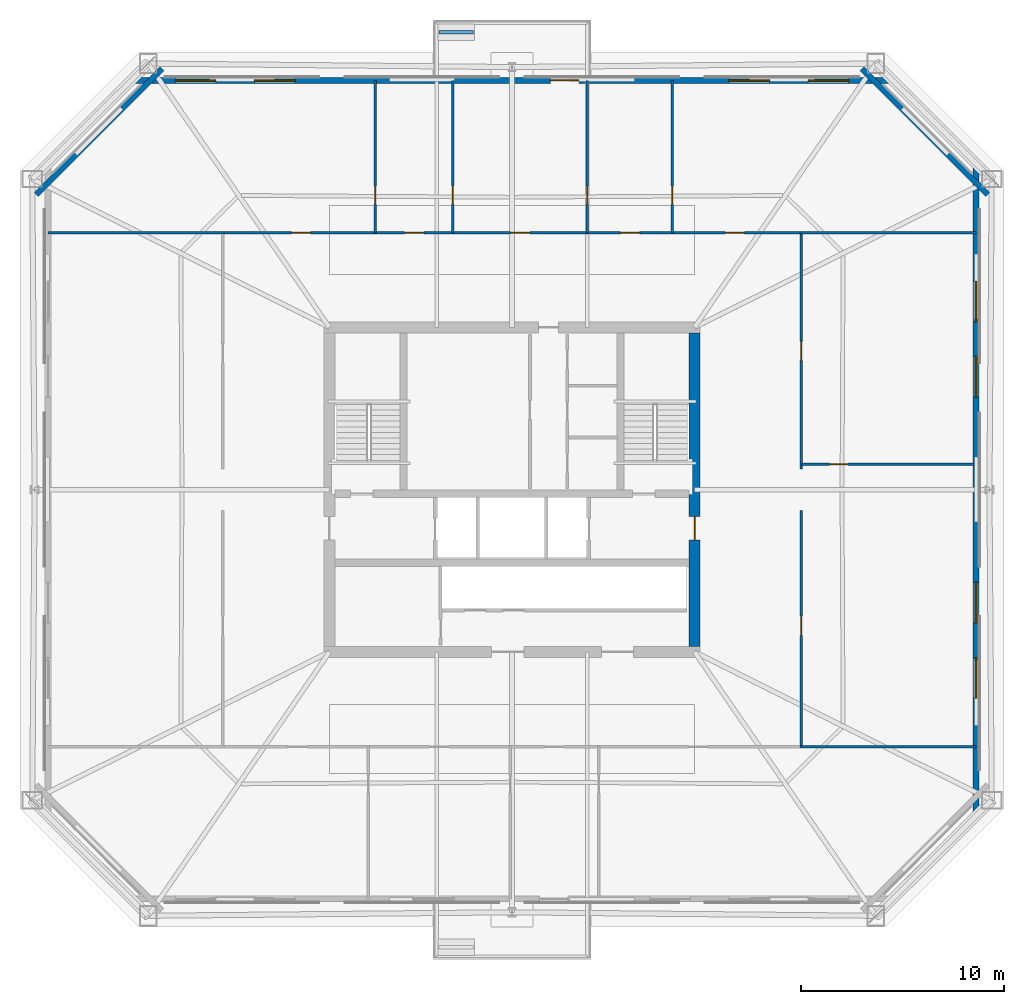
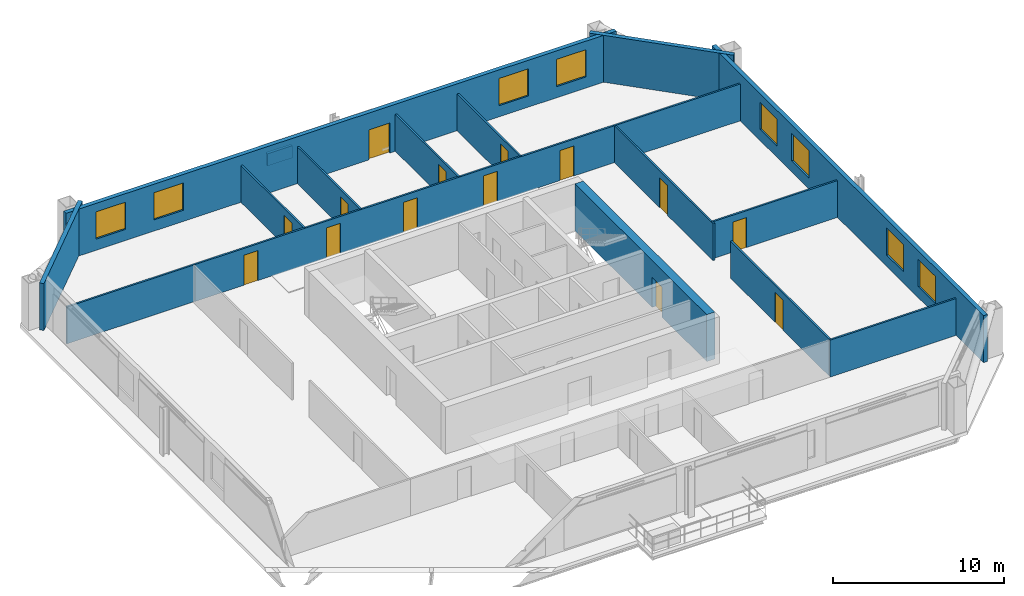
# One storey, part 4 of 7: 17 walls, 14 doors, 8 windows, 22 openings.
"""IFC4 building model written with IfcOpenShell, lengths in metres."""

from ifc_helpers import new_model, si_unit, direction, frame, frame_2d, origin, place, context, subcontext, project, spatial, rectangle, extrude, material, layer, layer_set, type_object, element, fill, save


model = new_model("IFC4")

# Units and contexts
model_context = context("Model", 3, precision=1e-05, world=origin(), true_north=direction((0.0, 1.0)))
body_context = subcontext(model_context, "Body", "Model", "MODEL_VIEW")
ifc_project = project(units=[si_unit("LENGTHUNIT", "METRE"), si_unit("AREAUNIT", "SQUARE_METRE"), si_unit("VOLUMEUNIT", "CUBIC_METRE"), si_unit("PLANEANGLEUNIT", "RADIAN"), si_unit("MASSUNIT", "GRAM", prefix="KILO")], contexts=[model_context])

# Site, building, storey
site_placement = place(None, origin())
site = spatial("IfcSite", under=ifc_project, at=site_placement, CompositionType="ELEMENT")
building_placement = place(site_placement, origin())
building = spatial("IfcBuilding", under=site, at=building_placement, Name="Caelvoria Tower", CompositionType="ELEMENT")
storey_placement = place(building_placement, frame((0.0, 0.0, 109.60009765625)))
storey = spatial("IfcBuildingStorey", under=building, at=storey_placement, Name="L28", CompositionType="ELEMENT", Elevation=109.60009765625)

# Wall
ifc_material_1 = material(Name="Bronze-Clad Concrete C40/50", Category="concrete")
ifc_layer_1 = layer(ifc_material_1, 0.179931640625, Name="Bronze-Clad Concrete C40/50")
ifc_layer_set_1 = layer_set([ifc_layer_1], Name="Architectural Planter Kerb Wall 180 - Bronze-Clad Concrete C40/50")
wall_type_1 = type_object("IfcWallType", Name="Architectural Planter Kerb Wall 180", PredefinedType="PARAPET", material=ifc_layer_set_1)
wall_1_placement = place(storey_placement, frame((42.39990234375, 54.550048828125, 0.0), z_axis=(0.0, 0.0, 1.0), x_axis=(1.0, 0.0, 0.0)))
element("IfcWall", 1, at=wall_1_placement, inside=storey, type_object=wall_type_1, Name="Tree Balcony Planter Kerb PLANTER TB-L28-N", PredefinedType="PARAPET", context=body_context, shape_type="SweptSolid", body=[
    extrude(rectangle(XDim=1.7001953125, YDim=0.179931640625, at=frame_2d((0.85009765625, 0.0))), origin(), (0.0, 0.0, 1.0), 0.8798828125),
])

# Wall, openings, windows
ifc_material_2 = material(Name="Precast Concrete C40/50 with Bronze Cladding", Category="concrete")
ifc_layer_2 = layer(ifc_material_2, 0.280029296875, Name="Precast Concrete C40/50 with Bronze Cladding")
ifc_layer_set_2 = layer_set([ifc_layer_2], Name="Exterior Precast Concrete C40/50 Bronze-Clad Facade Wall 280 - Precast Concrete C40/50 with Bronze Cladding")
wall_type_2 = type_object("IfcWallType", Name="Exterior Precast Concrete C40/50 Bronze-Clad Facade Wall 280", PredefinedType="STANDARD", material=ifc_layer_set_2)
wall_2_placement = place(storey_placement, frame((68.8701171875, 16.06005859375, 0.0), z_axis=(0.0, 0.0, 1.0), x_axis=(0.0, 1.0, 0.0)))
wall_2 = element("IfcWall", 2, at=wall_2_placement, inside=storey, type_object=wall_type_2, Name="Exterior Facade Wall L28-E2", PredefinedType="STANDARD", context=body_context, shape_type="SweptSolid", body=[
    extrude(rectangle(XDim=31.8798828125, YDim=0.280029296875, at=frame_2d((15.93994140625, 0.0))), origin(), (0.0, 0.0, 1.0), 3.35986328125),
])
opening_1_placement = place(wall_2_placement, frame((5.6650390625, 0.0, 0.800048828125)))
opening_1 = element("IfcOpeningElement", 3, at=opening_1_placement, cuts=wall_2, Name="Opening WN-01", PredefinedType="OPENING", context=body_context, shape_type="SweptSolid", body=[
    extrude(rectangle(XDim=2.0, YDim=1.949951171875, at=frame_2d((1.0, 0.97509765625))), frame((0.0, 0.14990234375, 0.0), z_axis=(0.0, -1.0, 0.0), x_axis=(1.0, 0.0, 0.0)), (0.0, 0.0, 1.0), 0.300048828125),
])
opening_2_placement = place(wall_2_placement, frame((9.375, 0.0, 0.800048828125)))
opening_2 = element("IfcOpeningElement", 4, at=opening_2_placement, cuts=wall_2, Name="Opening WN-01", PredefinedType="OPENING", context=body_context, shape_type="SweptSolid", body=[
    extrude(rectangle(XDim=2.0, YDim=1.949951171875, at=frame_2d((1.0, 0.97509765625))), frame((0.0, 0.14990234375, 0.0), z_axis=(0.0, -1.0, 0.0), x_axis=(1.0, 0.0, 0.0)), (0.0, 0.0, 1.0), 0.300048828125),
])
opening_3_placement = place(wall_2_placement, frame((20.5048828125, 0.0, 0.800048828125)))
opening_3 = element("IfcOpeningElement", 5, at=opening_3_placement, cuts=wall_2, Name="Opening WN-01", PredefinedType="OPENING", context=body_context, shape_type="SweptSolid", body=[
    extrude(rectangle(XDim=2.0, YDim=1.949951171875, at=frame_2d((1.0, 0.97509765625))), frame((0.0, 0.14990234375, 0.0), z_axis=(0.0, -1.0, 0.0), x_axis=(1.0, 0.0, 0.0)), (0.0, 0.0, 1.0), 0.300048828125),
])
opening_4_placement = place(wall_2_placement, frame((24.215087890625, 0.0, 0.800048828125)))
opening_4 = element("IfcOpeningElement", 6, at=opening_4_placement, cuts=wall_2, Name="Opening WN-01", PredefinedType="OPENING", context=body_context, shape_type="SweptSolid", body=[
    extrude(rectangle(XDim=2.0, YDim=1.949951171875, at=frame_2d((1.0, 0.97509765625))), frame((0.0, 0.14990234375, 0.0), z_axis=(0.0, -1.0, 0.0), x_axis=(1.0, 0.0, 0.0)), (0.0, 0.0, 1.0), 0.300048828125),
])
ifc_material_3 = material(Name="Low-E Tinted Glass in Bronze Aluminium Frame", Category="aluminium")
window_type = type_object("IfcWindowType", Name="Tower Office Vision Window 2000x1950", PartitioningType="SINGLE_PANEL", PredefinedType="WINDOW", material=ifc_material_3)
window_1_placement = place(opening_1_placement, origin())
window_1 = element("IfcWindow", 7, at=window_1_placement, inside=storey, type_object=window_type, Name="Facade Window L28-E2-01", OverallHeight=1.949951171875, OverallWidth=2.0, PartitioningType="SINGLE_PANEL", PredefinedType="WINDOW", context=body_context, shape_type="SweptSolid", body=[
    extrude(rectangle(XDim=2.0, YDim=1.949951171875, at=frame_2d((1.0, 0.97509765625))), frame((0.0, 0.030029296875, 0.0), z_axis=(0.0, -1.0, 0.0), x_axis=(1.0, 0.0, 0.0)), (0.0, 0.0, 1.0), 0.06005859375),
])
fill(opening_1, window_1)
window_2_placement = place(opening_2_placement, origin())
window_2 = element("IfcWindow", 8, at=window_2_placement, inside=storey, type_object=window_type, Name="Facade Window L28-E2-02", OverallHeight=1.949951171875, OverallWidth=2.0, PartitioningType="SINGLE_PANEL", PredefinedType="WINDOW", context=body_context, shape_type="SweptSolid", body=[
    extrude(rectangle(XDim=2.0, YDim=1.949951171875, at=frame_2d((1.0, 0.97509765625))), frame((0.0, 0.030029296875, 0.0), z_axis=(0.0, -1.0, 0.0), x_axis=(1.0, 0.0, 0.0)), (0.0, 0.0, 1.0), 0.06005859375),
])
fill(opening_2, window_2)
window_3_placement = place(opening_3_placement, origin())
window_3 = element("IfcWindow", 9, at=window_3_placement, inside=storey, type_object=window_type, Name="Facade Window L28-E2-05", OverallHeight=1.949951171875, OverallWidth=2.0, PartitioningType="SINGLE_PANEL", PredefinedType="WINDOW", context=body_context, shape_type="SweptSolid", body=[
    extrude(rectangle(XDim=2.0, YDim=1.949951171875, at=frame_2d((1.0, 0.97509765625))), frame((0.0, 0.030029296875, 0.0), z_axis=(0.0, -1.0, 0.0), x_axis=(1.0, 0.0, 0.0)), (0.0, 0.0, 1.0), 0.06005859375),
])
fill(opening_3, window_3)
window_4_placement = place(opening_4_placement, origin())
window_4 = element("IfcWindow", 10, at=window_4_placement, inside=storey, type_object=window_type, Name="Facade Window L28-E2-06", OverallHeight=1.949951171875, OverallWidth=2.0, PartitioningType="SINGLE_PANEL", PredefinedType="WINDOW", context=body_context, shape_type="SweptSolid", body=[
    extrude(rectangle(XDim=2.0, YDim=1.949951171875, at=frame_2d((1.0, 0.97509765625))), frame((0.0, 0.030029296875, 0.0), z_axis=(0.0, -1.0, 0.0), x_axis=(1.0, 0.0, 0.0)), (0.0, 0.0, 1.0), 0.06005859375),
])
fill(opening_4, window_4)

# Wall
wall_3_placement = place(storey_placement, frame((69.44384765625, 46.554443359375, 0.0), z_axis=(0.0, 0.0, 1.0), x_axis=(-0.707106781187, 0.707106781187, 0.0)))
element("IfcWall", 11, at=wall_3_placement, inside=storey, type_object=wall_type_2, Name="Exterior Facade Wall L28-E3", PredefinedType="STANDARD", context=body_context, shape_type="SweptSolid", body=[
    extrude(rectangle(XDim=8.753173828125, YDim=0.280029296875, at=frame_2d((4.37646484375, 0.0))), origin(), (0.0, 0.0, 1.0), 3.35986328125),
])

# Wall, openings, windows, door
wall_4_placement = place(storey_placement, frame((64.639892578125, 52.169921875, 0.0), z_axis=(0.0, 0.0, 1.0), x_axis=(-1.0, 0.0, 0.0)))
wall_4 = element("IfcWall", 12, at=wall_4_placement, inside=storey, type_object=wall_type_2, Name="Exterior Facade Wall L28-E4", PredefinedType="STANDARD", context=body_context, shape_type="SweptSolid", body=[
    extrude(rectangle(XDim=37.27978515625, YDim=0.280029296875, at=frame_2d((18.639892578125, 0.0))), origin(), (0.0, 0.0, 1.0), 3.35986328125),
])
opening_5_placement = place(wall_4_placement, frame((15.347412109375, 0.0, 0.0)))
opening_5 = element("IfcOpeningElement", 13, at=opening_5_placement, cuts=wall_4, Name="Opening ED-04", PredefinedType="OPENING", context=body_context, shape_type="SweptSolid", body=[
    extrude(rectangle(XDim=1.39990234375, YDim=2.14990234375, at=frame_2d((0.699951171875, 1.074951171875))), frame((0.0, 0.14990234375, 0.0), z_axis=(0.0, -1.0, 0.0), x_axis=(1.0, 0.0, 0.0)), (0.0, 0.0, 1.0), 0.300048828125),
])
opening_6_placement = place(wall_4_placement, frame((2.048828125, 0.0, 0.800048828125)))
opening_6 = element("IfcOpeningElement", 14, at=opening_6_placement, cuts=wall_4, Name="Opening WN-01", PredefinedType="OPENING", context=body_context, shape_type="SweptSolid", body=[
    extrude(rectangle(XDim=2.0, YDim=1.949951171875, at=frame_2d((1.0, 0.97509765625))), frame((0.0, 0.14990234375, 0.0), z_axis=(0.0, -1.0, 0.0), x_axis=(1.0, 0.0, 0.0)), (0.0, 0.0, 1.0), 0.300048828125),
])
opening_7_placement = place(wall_4_placement, frame((5.94677734375, 0.0, 0.800048828125)))
opening_7 = element("IfcOpeningElement", 15, at=opening_7_placement, cuts=wall_4, Name="Opening WN-01", PredefinedType="OPENING", context=body_context, shape_type="SweptSolid", body=[
    extrude(rectangle(XDim=2.0, YDim=1.949951171875, at=frame_2d((1.0, 0.97509765625))), frame((0.0, 0.14990234375, 0.0), z_axis=(0.0, -1.0, 0.0), x_axis=(1.0, 0.0, 0.0)), (0.0, 0.0, 1.0), 0.300048828125),
])
opening_8_placement = place(wall_4_placement, frame((29.333251953125, 0.0, 0.800048828125)))
opening_8 = element("IfcOpeningElement", 16, at=opening_8_placement, cuts=wall_4, Name="Opening WN-01", PredefinedType="OPENING", context=body_context, shape_type="SweptSolid", body=[
    extrude(rectangle(XDim=2.0, YDim=1.949951171875, at=frame_2d((1.0, 0.97509765625))), frame((0.0, 0.14990234375, 0.0), z_axis=(0.0, -1.0, 0.0), x_axis=(1.0, 0.0, 0.0)), (0.0, 0.0, 1.0), 0.300048828125),
])
opening_9_placement = place(wall_4_placement, frame((33.231201171875, 0.0, 0.800048828125)))
opening_9 = element("IfcOpeningElement", 17, at=opening_9_placement, cuts=wall_4, Name="Opening WN-01", PredefinedType="OPENING", context=body_context, shape_type="SweptSolid", body=[
    extrude(rectangle(XDim=2.0, YDim=1.949951171875, at=frame_2d((1.0, 0.97509765625))), frame((0.0, 0.14990234375, 0.0), z_axis=(0.0, -1.0, 0.0), x_axis=(1.0, 0.0, 0.0)), (0.0, 0.0, 1.0), 0.300048828125),
])
window_5_placement = place(opening_6_placement, origin())
window_5 = element("IfcWindow", 18, at=window_5_placement, inside=storey, type_object=window_type, Name="Facade Window L28-E4-00", OverallHeight=1.949951171875, OverallWidth=2.0, PartitioningType="SINGLE_PANEL", PredefinedType="WINDOW", context=body_context, shape_type="SweptSolid", body=[
    extrude(rectangle(XDim=2.0, YDim=1.949951171875, at=frame_2d((1.0, 0.97509765625))), frame((0.0, 0.030029296875, 0.0), z_axis=(0.0, -1.0, 0.0), x_axis=(1.0, 0.0, 0.0)), (0.0, 0.0, 1.0), 0.06005859375),
])
fill(opening_6, window_5)
window_6_placement = place(opening_7_placement, origin())
window_6 = element("IfcWindow", 19, at=window_6_placement, inside=storey, type_object=window_type, Name="Facade Window L28-E4-01", OverallHeight=1.949951171875, OverallWidth=2.0, PartitioningType="SINGLE_PANEL", PredefinedType="WINDOW", context=body_context, shape_type="SweptSolid", body=[
    extrude(rectangle(XDim=2.0, YDim=1.949951171875, at=frame_2d((1.0, 0.97509765625))), frame((0.0, 0.030029296875, 0.0), z_axis=(0.0, -1.0, 0.0), x_axis=(1.0, 0.0, 0.0)), (0.0, 0.0, 1.0), 0.06005859375),
])
fill(opening_7, window_6)
window_7_placement = place(opening_8_placement, origin())
window_7 = element("IfcWindow", 20, at=window_7_placement, inside=storey, type_object=window_type, Name="Facade Window L28-E4-07", OverallHeight=1.949951171875, OverallWidth=2.0, PartitioningType="SINGLE_PANEL", PredefinedType="WINDOW", context=body_context, shape_type="SweptSolid", body=[
    extrude(rectangle(XDim=2.0, YDim=1.949951171875, at=frame_2d((1.0, 0.97509765625))), frame((0.0, 0.030029296875, 0.0), z_axis=(0.0, -1.0, 0.0), x_axis=(1.0, 0.0, 0.0)), (0.0, 0.0, 1.0), 0.06005859375),
])
fill(opening_8, window_7)
window_8_placement = place(opening_9_placement, origin())
window_8 = element("IfcWindow", 21, at=window_8_placement, inside=storey, type_object=window_type, Name="Facade Window L28-E4-08", OverallHeight=1.949951171875, OverallWidth=2.0, PartitioningType="SINGLE_PANEL", PredefinedType="WINDOW", context=body_context, shape_type="SweptSolid", body=[
    extrude(rectangle(XDim=2.0, YDim=1.949951171875, at=frame_2d((1.0, 0.97509765625))), frame((0.0, 0.030029296875, 0.0), z_axis=(0.0, -1.0, 0.0), x_axis=(1.0, 0.0, 0.0)), (0.0, 0.0, 1.0), 0.06005859375),
])
fill(opening_9, window_8)
ifc_material_4 = material(Name="Anodised Bronze Aluminium and Laminated Glass", Category="aluminium")
door_type_1 = type_object("IfcDoorType", Name="Tree Balcony Glazed Door 1400x2150", OperationType="NOTDEFINED", PredefinedType="DOOR", material=ifc_material_4)
door_1_placement = place(opening_5_placement, origin())
door_1 = element("IfcDoor", 22, at=door_1_placement, inside=storey, type_object=door_type_1, Name="Tree Balcony Door L28-N", OperationType="SINGLE_SWING_LEFT", OverallHeight=2.14990234375, OverallWidth=1.39990234375, PredefinedType="DOOR", context=body_context, shape_type="SweptSolid", body=[
    extrude(rectangle(XDim=1.39990234375, YDim=2.14990234375, at=frame_2d((0.699951171875, 1.074951171875))), frame((0.0, 0.02490234375, 0.0), z_axis=(0.0, -1.0, 0.0), x_axis=(1.0, 0.0, 0.0)), (0.0, 0.0, 1.0), 0.050048828125),
])
fill(opening_5, door_1)

# Wall
wall_5_placement = place(storey_placement, frame((28.74560546875, 52.743896484375, 0.0), z_axis=(0.0, 0.0, 1.0), x_axis=(-0.707106781187, -0.707106781187, 0.0)))
element("IfcWall", 23, at=wall_5_placement, inside=storey, type_object=wall_type_2, Name="Exterior Facade Wall L28-E5", PredefinedType="STANDARD", context=body_context, shape_type="SweptSolid", body=[
    extrude(rectangle(XDim=8.753173828125, YDim=0.280029296875, at=frame_2d((4.37646484375, 0.0))), origin(), (0.0, 0.0, 1.0), 3.35986328125),
])

# Wall, opening, door
ifc_material_5 = material(Name="Concrete C55/67", Category="concrete")
ifc_layer_3 = layer(ifc_material_5, 0.550048828125, Name="Concrete C55/67")
ifc_layer_set_3 = layer_set([ifc_layer_3], Name="Mid Core Shear Wall 550 - Concrete C55/67")
wall_type_3 = type_object("IfcWallType", Name="Mid Core Shear Wall 550", PredefinedType="SHEAR", material=ifc_layer_set_3)
wall_6_placement = place(storey_placement, frame((55.0, 24.27490234375, 0.0), z_axis=(0.0, 0.0, 1.0), x_axis=(0.0, 1.0, 0.0)))
wall_6 = element("IfcWall", 24, at=wall_6_placement, inside=storey, type_object=wall_type_3, Name="Core Shear Wall L28 E", PredefinedType="SHEAR", context=body_context, shape_type="SweptSolid", body=[
    extrude(rectangle(XDim=15.4501953125, YDim=0.550048828125, at=frame_2d((7.72509765625, 0.0))), origin(), (0.0, 0.0, 1.0), 3.35986328125),
])
opening_10_placement = place(wall_6_placement, frame((5.25, 0.0, 0.0)))
opening_10 = element("IfcOpeningElement", 25, at=opening_10_placement, cuts=wall_6, Name="Opening ID-02", PredefinedType="OPENING", context=body_context, shape_type="SweptSolid", body=[
    extrude(rectangle(XDim=1.14990234375, YDim=2.14990234375, at=frame_2d((0.574951171875, 1.074951171875))), frame((0.0, 0.284912109375, 0.0), z_axis=(0.0, -1.0, 0.0), x_axis=(1.0, 0.0, 0.0)), (0.0, 0.0, 1.0), 0.570068359375),
])
ifc_material_6 = material(Name="Painted Hollow Steel Fire Door", Category="steel")
door_type_2 = type_object("IfcDoorType", Name="Fire Door FD60S 1150x2150", OperationType="NOTDEFINED", PredefinedType="DOOR", material=ifc_material_6)
door_2_placement = place(opening_10_placement, origin())
door_2 = element("IfcDoor", 26, at=door_2_placement, inside=storey, type_object=door_type_2, Name="Core Door DR-L28-FFLE-OUT", OperationType="SINGLE_SWING_RIGHT", OverallHeight=2.14990234375, OverallWidth=1.14990234375, PredefinedType="DOOR", context=body_context, shape_type="SweptSolid", body=[
    extrude(rectangle(XDim=1.14990234375, YDim=2.14990234375, at=frame_2d((0.574951171875, 1.074951171875))), frame((0.0, 0.02490234375, 0.0), z_axis=(0.0, -1.0, 0.0), x_axis=(1.0, 0.0, 0.0)), (0.0, 0.0, 1.0), 0.050048828125),
])
fill(opening_10, door_2)

ifc_material_7 = material(Name="Acoustic Gypsum Board on Light-Gauge Stud", Category="gypsum")
ifc_layer_4 = layer(ifc_material_7, 0.1201171875, Name="Acoustic Gypsum Board on Light-Gauge Stud")
ifc_layer_set_4 = layer_set([ifc_layer_4], Name="Tenant Suite Acoustic Partition Wall 120 - Acoustic Gypsum Board on Light-Gauge Stud")
wall_type_4 = type_object("IfcWallType", Name="Tenant Suite Acoustic Partition Wall 120", PredefinedType="PARTITIONING", material=ifc_layer_set_4)
wall_7_placement = place(storey_placement, frame((39.265625, 44.659912109375, 0.0), z_axis=(0.0, 0.0, 1.0), x_axis=(0.0, 1.0, 0.0)))
wall_7 = element("IfcWall", 27, at=wall_7_placement, inside=storey, type_object=wall_type_4, Name="Interior Partition IW-L28-ND-00-0", PredefinedType="PARTITIONING", context=body_context, shape_type="SweptSolid", body=[
    extrude(rectangle(XDim=7.510009765625, YDim=0.1201171875, at=frame_2d((3.7548828125, 0.0))), origin(), (0.0, 0.0, 1.0), 2.639892578125),
])
opening_11_placement = place(wall_7_placement, frame((1.39990234375, 0.0, 0.0)))
opening_11 = element("IfcOpeningElement", 28, at=opening_11_placement, cuts=wall_7, Name="Opening ID-06", PredefinedType="OPENING", context=body_context, shape_type="SweptSolid", body=[
    extrude(rectangle(XDim=0.89990234375, YDim=2.14990234375, at=frame_2d((0.449951171875, 1.074951171875))), frame((0.0, 0.070068359375, 0.0), z_axis=(0.0, -1.0, 0.0), x_axis=(1.0, 0.0, 0.0)), (0.0, 0.0, 1.0), 0.14013671875),
])
ifc_material_8 = material(Name="Engineered Andean Oak Veneer Door", Category="wood")
door_type_3 = type_object("IfcDoorType", Name="Interior Timber Door 900x2150", OperationType="NOTDEFINED", PredefinedType="DOOR", material=ifc_material_8)
door_3_placement = place(opening_11_placement, origin())
door_3 = element("IfcDoor", 29, at=door_3_placement, inside=storey, type_object=door_type_3, Name="Interior Door DR-L28-NM-00-0", OperationType="SINGLE_SWING_RIGHT", OverallHeight=2.14990234375, OverallWidth=0.89990234375, PredefinedType="DOOR", context=body_context, shape_type="SweptSolid", body=[
    extrude(rectangle(XDim=0.89990234375, YDim=2.14990234375, at=frame_2d((0.449951171875, 1.074951171875))), frame((0.0, 0.02490234375, 0.0), z_axis=(0.0, -1.0, 0.0), x_axis=(1.0, 0.0, 0.0)), (0.0, 0.0, 1.0), 0.050048828125),
])
fill(opening_11, door_3)

wall_8_placement = place(storey_placement, frame((43.087158203125, 44.659912109375, 0.0), z_axis=(0.0, 0.0, 1.0), x_axis=(0.0, 1.0, 0.0)))
wall_8 = element("IfcWall", 30, at=wall_8_placement, inside=storey, type_object=wall_type_4, Name="Interior Partition IW-L28-ND-01-0", PredefinedType="PARTITIONING", context=body_context, shape_type="SweptSolid", body=[
    extrude(rectangle(XDim=7.510009765625, YDim=0.1201171875, at=frame_2d((3.7548828125, 0.0))), origin(), (0.0, 0.0, 1.0), 2.639892578125),
])
opening_12_placement = place(wall_8_placement, frame((1.39990234375, 0.0, 0.0)))
opening_12 = element("IfcOpeningElement", 31, at=opening_12_placement, cuts=wall_8, Name="Opening ID-06", PredefinedType="OPENING", context=body_context, shape_type="SweptSolid", body=[
    extrude(rectangle(XDim=0.89990234375, YDim=2.14990234375, at=frame_2d((0.449951171875, 1.074951171875))), frame((0.0, 0.070068359375, 0.0), z_axis=(0.0, -1.0, 0.0), x_axis=(1.0, 0.0, 0.0)), (0.0, 0.0, 1.0), 0.14013671875),
])
door_4_placement = place(opening_12_placement, origin())
door_4 = element("IfcDoor", 32, at=door_4_placement, inside=storey, type_object=door_type_3, Name="Interior Door DR-L28-NM-01-0", OperationType="SINGLE_SWING_LEFT", OverallHeight=2.14990234375, OverallWidth=0.89990234375, PredefinedType="DOOR", context=body_context, shape_type="SweptSolid", body=[
    extrude(rectangle(XDim=0.89990234375, YDim=2.14990234375, at=frame_2d((0.449951171875, 1.074951171875))), frame((0.0, 0.02490234375, 0.0), z_axis=(0.0, -1.0, 0.0), x_axis=(1.0, 0.0, 0.0)), (0.0, 0.0, 1.0), 0.050048828125),
])
fill(opening_12, door_4)

wall_9_placement = place(storey_placement, frame((49.716796875, 44.659912109375, 0.0), z_axis=(0.0, 0.0, 1.0), x_axis=(0.0, 1.0, 0.0)))
wall_9 = element("IfcWall", 33, at=wall_9_placement, inside=storey, type_object=wall_type_4, Name="Interior Partition IW-L28-ND-02-0", PredefinedType="PARTITIONING", context=body_context, shape_type="SweptSolid", body=[
    extrude(rectangle(XDim=7.510009765625, YDim=0.1201171875, at=frame_2d((3.7548828125, 0.0))), origin(), (0.0, 0.0, 1.0), 2.639892578125),
])
opening_13_placement = place(wall_9_placement, frame((1.39990234375, 0.0, 0.0)))
opening_13 = element("IfcOpeningElement", 34, at=opening_13_placement, cuts=wall_9, Name="Opening ID-06", PredefinedType="OPENING", context=body_context, shape_type="SweptSolid", body=[
    extrude(rectangle(XDim=0.89990234375, YDim=2.14990234375, at=frame_2d((0.449951171875, 1.074951171875))), frame((0.0, 0.070068359375, 0.0), z_axis=(0.0, -1.0, 0.0), x_axis=(1.0, 0.0, 0.0)), (0.0, 0.0, 1.0), 0.14013671875),
])
door_5_placement = place(opening_13_placement, origin())
door_5 = element("IfcDoor", 35, at=door_5_placement, inside=storey, type_object=door_type_3, Name="Interior Door DR-L28-NM-02-0", OperationType="SINGLE_SWING_RIGHT", OverallHeight=2.14990234375, OverallWidth=0.89990234375, PredefinedType="DOOR", context=body_context, shape_type="SweptSolid", body=[
    extrude(rectangle(XDim=0.89990234375, YDim=2.14990234375, at=frame_2d((0.449951171875, 1.074951171875))), frame((0.0, 0.02490234375, 0.0), z_axis=(0.0, -1.0, 0.0), x_axis=(1.0, 0.0, 0.0)), (0.0, 0.0, 1.0), 0.050048828125),
])
fill(opening_13, door_5)

wall_10_placement = place(storey_placement, frame((53.906494140625, 44.659912109375, 0.0), z_axis=(0.0, 0.0, 1.0), x_axis=(0.0, 1.0, 0.0)))
wall_10 = element("IfcWall", 36, at=wall_10_placement, inside=storey, type_object=wall_type_4, Name="Interior Partition IW-L28-ND-03-0", PredefinedType="PARTITIONING", context=body_context, shape_type="SweptSolid", body=[
    extrude(rectangle(XDim=7.510009765625, YDim=0.1201171875, at=frame_2d((3.7548828125, 0.0))), origin(), (0.0, 0.0, 1.0), 2.639892578125),
])
opening_14_placement = place(wall_10_placement, frame((1.39990234375, 0.0, 0.0)))
opening_14 = element("IfcOpeningElement", 37, at=opening_14_placement, cuts=wall_10, Name="Opening ID-06", PredefinedType="OPENING", context=body_context, shape_type="SweptSolid", body=[
    extrude(rectangle(XDim=0.89990234375, YDim=2.14990234375, at=frame_2d((0.449951171875, 1.074951171875))), frame((0.0, 0.070068359375, 0.0), z_axis=(0.0, -1.0, 0.0), x_axis=(1.0, 0.0, 0.0)), (0.0, 0.0, 1.0), 0.14013671875),
])
door_6_placement = place(opening_14_placement, origin())
door_6 = element("IfcDoor", 38, at=door_6_placement, inside=storey, type_object=door_type_3, Name="Interior Door DR-L28-NM-03-0", OperationType="SINGLE_SWING_LEFT", OverallHeight=2.14990234375, OverallWidth=0.89990234375, PredefinedType="DOOR", context=body_context, shape_type="SweptSolid", body=[
    extrude(rectangle(XDim=0.89990234375, YDim=2.14990234375, at=frame_2d((0.449951171875, 1.074951171875))), frame((0.0, 0.02490234375, 0.0), z_axis=(0.0, -1.0, 0.0), x_axis=(1.0, 0.0, 0.0)), (0.0, 0.0, 1.0), 0.050048828125),
])
fill(opening_14, door_6)

# Wall, openings, doors
wall_11_placement = place(storey_placement, frame((31.800048828125, 44.659912109375, 0.0), z_axis=(0.0, 0.0, 1.0), x_axis=(1.0, 0.0, 0.0)))
wall_11 = element("IfcWall", 39, at=wall_11_placement, inside=storey, type_object=wall_type_4, Name="Interior Partition IW-L28-NCW-0", PredefinedType="PARTITIONING", context=body_context, shape_type="SweptSolid", body=[
    extrude(rectangle(XDim=28.39990234375, YDim=0.1201171875, at=frame_2d((14.199951171875, 0.0))), origin(), (0.0, 0.0, 1.0), 2.639892578125),
])
opening_15_placement = place(wall_11_placement, frame((3.327880859375, 0.0, 0.0)))
opening_15 = element("IfcOpeningElement", 40, at=opening_15_placement, cuts=wall_11, Name="Opening ID-05", PredefinedType="OPENING", context=body_context, shape_type="SweptSolid", body=[
    extrude(rectangle(XDim=0.949951171875, YDim=2.14990234375, at=frame_2d((0.47509765625, 1.074951171875))), frame((0.0, 0.070068359375, 0.0), z_axis=(0.0, -1.0, 0.0), x_axis=(1.0, 0.0, 0.0)), (0.0, 0.0, 1.0), 0.14013671875),
])
opening_16_placement = place(wall_11_placement, frame((8.9013671875, 0.0, 0.0)))
opening_16 = element("IfcOpeningElement", 41, at=opening_16_placement, cuts=wall_11, Name="Opening ID-05", PredefinedType="OPENING", context=body_context, shape_type="SweptSolid", body=[
    extrude(rectangle(XDim=0.949951171875, YDim=2.14990234375, at=frame_2d((0.47509765625, 1.074951171875))), frame((0.0, 0.070068359375, 0.0), z_axis=(0.0, -1.0, 0.0), x_axis=(1.0, 0.0, 0.0)), (0.0, 0.0, 1.0), 0.14013671875),
])
opening_17_placement = place(wall_11_placement, frame((14.126953125, 0.0, 0.0)))
opening_17 = element("IfcOpeningElement", 42, at=opening_17_placement, cuts=wall_11, Name="Opening ID-05", PredefinedType="OPENING", context=body_context, shape_type="SweptSolid", body=[
    extrude(rectangle(XDim=0.949951171875, YDim=2.14990234375, at=frame_2d((0.47509765625, 1.074951171875))), frame((0.0, 0.070068359375, 0.0), z_axis=(0.0, -1.0, 0.0), x_axis=(1.0, 0.0, 0.0)), (0.0, 0.0, 1.0), 0.14013671875),
])
opening_18_placement = place(wall_11_placement, frame((19.536865234375, 0.0, 0.0)))
opening_18 = element("IfcOpeningElement", 43, at=opening_18_placement, cuts=wall_11, Name="Opening ID-05", PredefinedType="OPENING", context=body_context, shape_type="SweptSolid", body=[
    extrude(rectangle(XDim=0.949951171875, YDim=2.14990234375, at=frame_2d((0.47509765625, 1.074951171875))), frame((0.0, 0.070068359375, 0.0), z_axis=(0.0, -1.0, 0.0), x_axis=(1.0, 0.0, 0.0)), (0.0, 0.0, 1.0), 0.14013671875),
])
opening_19_placement = place(wall_11_placement, frame((24.708251953125, 0.0, 0.0)))
opening_19 = element("IfcOpeningElement", 44, at=opening_19_placement, cuts=wall_11, Name="Opening ID-05", PredefinedType="OPENING", context=body_context, shape_type="SweptSolid", body=[
    extrude(rectangle(XDim=0.949951171875, YDim=2.14990234375, at=frame_2d((0.47509765625, 1.074951171875))), frame((0.0, 0.070068359375, 0.0), z_axis=(0.0, -1.0, 0.0), x_axis=(1.0, 0.0, 0.0)), (0.0, 0.0, 1.0), 0.14013671875),
])
door_type_4 = type_object("IfcDoorType", Name="Interior Timber Door 950x2150", OperationType="NOTDEFINED", PredefinedType="DOOR", material=ifc_material_8)
door_7_placement = place(opening_15_placement, origin())
door_7 = element("IfcDoor", 45, at=door_7_placement, inside=storey, type_object=door_type_4, Name="Interior Door DR-L28-NC-00-0", OperationType="SINGLE_SWING_LEFT", OverallHeight=2.14990234375, OverallWidth=0.949951171875, PredefinedType="DOOR", context=body_context, shape_type="SweptSolid", body=[
    extrude(rectangle(XDim=0.949951171875, YDim=2.14990234375, at=frame_2d((0.47509765625, 1.074951171875))), frame((0.0, 0.02490234375, 0.0), z_axis=(0.0, -1.0, 0.0), x_axis=(1.0, 0.0, 0.0)), (0.0, 0.0, 1.0), 0.050048828125),
])
fill(opening_15, door_7)
door_8_placement = place(opening_16_placement, origin())
door_8 = element("IfcDoor", 46, at=door_8_placement, inside=storey, type_object=door_type_4, Name="Interior Door DR-L28-NC-01-0", OperationType="SINGLE_SWING_RIGHT", OverallHeight=2.14990234375, OverallWidth=0.949951171875, PredefinedType="DOOR", context=body_context, shape_type="SweptSolid", body=[
    extrude(rectangle(XDim=0.949951171875, YDim=2.14990234375, at=frame_2d((0.47509765625, 1.074951171875))), frame((0.0, 0.02490234375, 0.0), z_axis=(0.0, -1.0, 0.0), x_axis=(1.0, 0.0, 0.0)), (0.0, 0.0, 1.0), 0.050048828125),
])
fill(opening_16, door_8)
door_9_placement = place(opening_17_placement, origin())
door_9 = element("IfcDoor", 47, at=door_9_placement, inside=storey, type_object=door_type_4, Name="Interior Door DR-L28-NC-02-0", OperationType="SINGLE_SWING_LEFT", OverallHeight=2.14990234375, OverallWidth=0.949951171875, PredefinedType="DOOR", context=body_context, shape_type="SweptSolid", body=[
    extrude(rectangle(XDim=0.949951171875, YDim=2.14990234375, at=frame_2d((0.47509765625, 1.074951171875))), frame((0.0, 0.02490234375, 0.0), z_axis=(0.0, -1.0, 0.0), x_axis=(1.0, 0.0, 0.0)), (0.0, 0.0, 1.0), 0.050048828125),
])
fill(opening_17, door_9)
door_10_placement = place(opening_18_placement, origin())
door_10 = element("IfcDoor", 48, at=door_10_placement, inside=storey, type_object=door_type_4, Name="Interior Door DR-L28-NC-03-0", OperationType="SINGLE_SWING_RIGHT", OverallHeight=2.14990234375, OverallWidth=0.949951171875, PredefinedType="DOOR", context=body_context, shape_type="SweptSolid", body=[
    extrude(rectangle(XDim=0.949951171875, YDim=2.14990234375, at=frame_2d((0.47509765625, 1.074951171875))), frame((0.0, 0.02490234375, 0.0), z_axis=(0.0, -1.0, 0.0), x_axis=(1.0, 0.0, 0.0)), (0.0, 0.0, 1.0), 0.050048828125),
])
fill(opening_18, door_10)
door_11_placement = place(opening_19_placement, origin())
door_11 = element("IfcDoor", 49, at=door_11_placement, inside=storey, type_object=door_type_4, Name="Interior Door DR-L28-NC-04-0", OperationType="SINGLE_SWING_LEFT", OverallHeight=2.14990234375, OverallWidth=0.949951171875, PredefinedType="DOOR", context=body_context, shape_type="SweptSolid", body=[
    extrude(rectangle(XDim=0.949951171875, YDim=2.14990234375, at=frame_2d((0.47509765625, 1.074951171875))), frame((0.0, 0.02490234375, 0.0), z_axis=(0.0, -1.0, 0.0), x_axis=(1.0, 0.0, 0.0)), (0.0, 0.0, 1.0), 0.050048828125),
])
fill(opening_19, door_11)

# Wall, opening, door
wall_12_placement = place(storey_placement, frame((60.260009765625, 33.26416015625, 0.0), z_axis=(0.0, 0.0, 1.0), x_axis=(1.0, 0.0, 0.0)))
wall_12 = element("IfcWall", 50, at=wall_12_placement, inside=storey, type_object=wall_type_4, Name="Interior Partition IW-L28-ED-00-0", PredefinedType="PARTITIONING", context=body_context, shape_type="SweptSolid", body=[
    extrude(rectangle(XDim=8.610107421875, YDim=0.1201171875, at=frame_2d((4.30517578125, 0.0))), origin(), (0.0, 0.0, 1.0), 2.639892578125),
])
opening_20_placement = place(wall_12_placement, frame((1.39990234375, 0.0, 0.0)))
opening_20 = element("IfcOpeningElement", 51, at=opening_20_placement, cuts=wall_12, Name="Opening ID-06", PredefinedType="OPENING", context=body_context, shape_type="SweptSolid", body=[
    extrude(rectangle(XDim=0.89990234375, YDim=2.14990234375, at=frame_2d((0.449951171875, 1.074951171875))), frame((0.0, 0.070068359375, 0.0), z_axis=(0.0, -1.0, 0.0), x_axis=(1.0, 0.0, 0.0)), (0.0, 0.0, 1.0), 0.14013671875),
])
door_12_placement = place(opening_20_placement, origin())
door_12 = element("IfcDoor", 52, at=door_12_placement, inside=storey, type_object=door_type_3, Name="Interior Door DR-L28-EM-00-0", OperationType="SINGLE_SWING_RIGHT", OverallHeight=2.14990234375, OverallWidth=0.89990234375, PredefinedType="DOOR", context=body_context, shape_type="SweptSolid", body=[
    extrude(rectangle(XDim=0.89990234375, YDim=2.14990234375, at=frame_2d((0.449951171875, 1.074951171875))), frame((0.0, 0.02490234375, 0.0), z_axis=(0.0, -1.0, 0.0), x_axis=(1.0, 0.0, 0.0)), (0.0, 0.0, 1.0), 0.050048828125),
])
fill(opening_20, door_12)

wall_13_placement = place(storey_placement, frame((60.260009765625, 19.39990234375, 0.0), z_axis=(0.0, 0.0, 1.0), x_axis=(0.0, 1.0, 0.0)))
wall_13 = element("IfcWall", 53, at=wall_13_placement, inside=storey, type_object=wall_type_4, Name="Interior Partition IW-L28-ECW-0", PredefinedType="PARTITIONING", context=body_context, shape_type="SweptSolid", body=[
    extrude(rectangle(XDim=11.580078125, YDim=0.1201171875, at=frame_2d((5.7900390625, 0.0))), origin(), (0.0, 0.0, 1.0), 2.639892578125),
])
opening_21_placement = place(wall_13_placement, frame((5.4150390625, 0.0, 0.0)))
opening_21 = element("IfcOpeningElement", 54, at=opening_21_placement, cuts=wall_13, Name="Opening ID-05", PredefinedType="OPENING", context=body_context, shape_type="SweptSolid", body=[
    extrude(rectangle(XDim=0.949951171875, YDim=2.14990234375, at=frame_2d((0.47509765625, 1.074951171875))), frame((0.0, 0.070068359375, 0.0), z_axis=(0.0, -1.0, 0.0), x_axis=(1.0, 0.0, 0.0)), (0.0, 0.0, 1.0), 0.14013671875),
])
door_13_placement = place(opening_21_placement, origin())
door_13 = element("IfcDoor", 55, at=door_13_placement, inside=storey, type_object=door_type_4, Name="Interior Door DR-L28-EC-00-0", OperationType="SINGLE_SWING_LEFT", OverallHeight=2.14990234375, OverallWidth=0.949951171875, PredefinedType="DOOR", context=body_context, shape_type="SweptSolid", body=[
    extrude(rectangle(XDim=0.949951171875, YDim=2.14990234375, at=frame_2d((0.47509765625, 1.074951171875))), frame((0.0, 0.02490234375, 0.0), z_axis=(0.0, -1.0, 0.0), x_axis=(1.0, 0.0, 0.0)), (0.0, 0.0, 1.0), 0.050048828125),
])
fill(opening_21, door_13)

wall_14_placement = place(storey_placement, frame((60.260009765625, 33.02001953125, 0.0), z_axis=(0.0, 0.0, 1.0), x_axis=(0.0, 1.0, 0.0)))
wall_14 = element("IfcWall", 56, at=wall_14_placement, inside=storey, type_object=wall_type_4, Name="Interior Partition IW-L28-ECW-1", PredefinedType="PARTITIONING", context=body_context, shape_type="SweptSolid", body=[
    extrude(rectangle(XDim=11.580078125, YDim=0.1201171875, at=frame_2d((5.7900390625, 0.0))), origin(), (0.0, 0.0, 1.0), 2.639892578125),
])
opening_22_placement = place(wall_14_placement, frame((5.3369140625, 0.0, 0.0)))
opening_22 = element("IfcOpeningElement", 57, at=opening_22_placement, cuts=wall_14, Name="Opening ID-05", PredefinedType="OPENING", context=body_context, shape_type="SweptSolid", body=[
    extrude(rectangle(XDim=0.949951171875, YDim=2.14990234375, at=frame_2d((0.47509765625, 1.074951171875))), frame((0.0, 0.070068359375, 0.0), z_axis=(0.0, -1.0, 0.0), x_axis=(1.0, 0.0, 0.0)), (0.0, 0.0, 1.0), 0.14013671875),
])
door_14_placement = place(opening_22_placement, origin())
door_14 = element("IfcDoor", 58, at=door_14_placement, inside=storey, type_object=door_type_4, Name="Interior Door DR-L28-EC-01-0", OperationType="SINGLE_SWING_RIGHT", OverallHeight=2.14990234375, OverallWidth=0.949951171875, PredefinedType="DOOR", context=body_context, shape_type="SweptSolid", body=[
    extrude(rectangle(XDim=0.949951171875, YDim=2.14990234375, at=frame_2d((0.47509765625, 1.074951171875))), frame((0.0, 0.02490234375, 0.0), z_axis=(0.0, -1.0, 0.0), x_axis=(1.0, 0.0, 0.0)), (0.0, 0.0, 1.0), 0.050048828125),
])
fill(opening_22, door_14)

# Walls
for number, where, z_axis, x_axis, name in (
    (59, (60.199951171875, 19.340087890625, 0.0), (0.0, 0.0, 1.0), (1.0, 0.0, 0.0), "Interior Partition IW-L28-BSE-0"),
    (60, (31.800048828125, 44.659912109375, 0.0), (0.0, 0.0, 1.0), (-1.0, 0.0, 0.0), "Interior Partition IW-L28-BNW-0"),
    (61, (60.199951171875, 44.659912109375, 0.0), (0.0, 0.0, 1.0), (1.0, 0.0, 0.0), "Interior Partition IW-L28-BNE-0"),
):
    element("IfcWall", number, at=place(storey_placement, frame(where, z_axis=z_axis, x_axis=x_axis)), inside=storey, type_object=wall_type_4, Name=name, PredefinedType="PARTITIONING", context=body_context, shape_type="SweptSolid", body=[
        extrude(rectangle(XDim=8.670166015625, YDim=0.1201171875, at=frame_2d((4.3349609375, 0.0))), origin(), (0.0, 0.0, 1.0), 2.639892578125),
    ])

save(model, "model.ifc")
